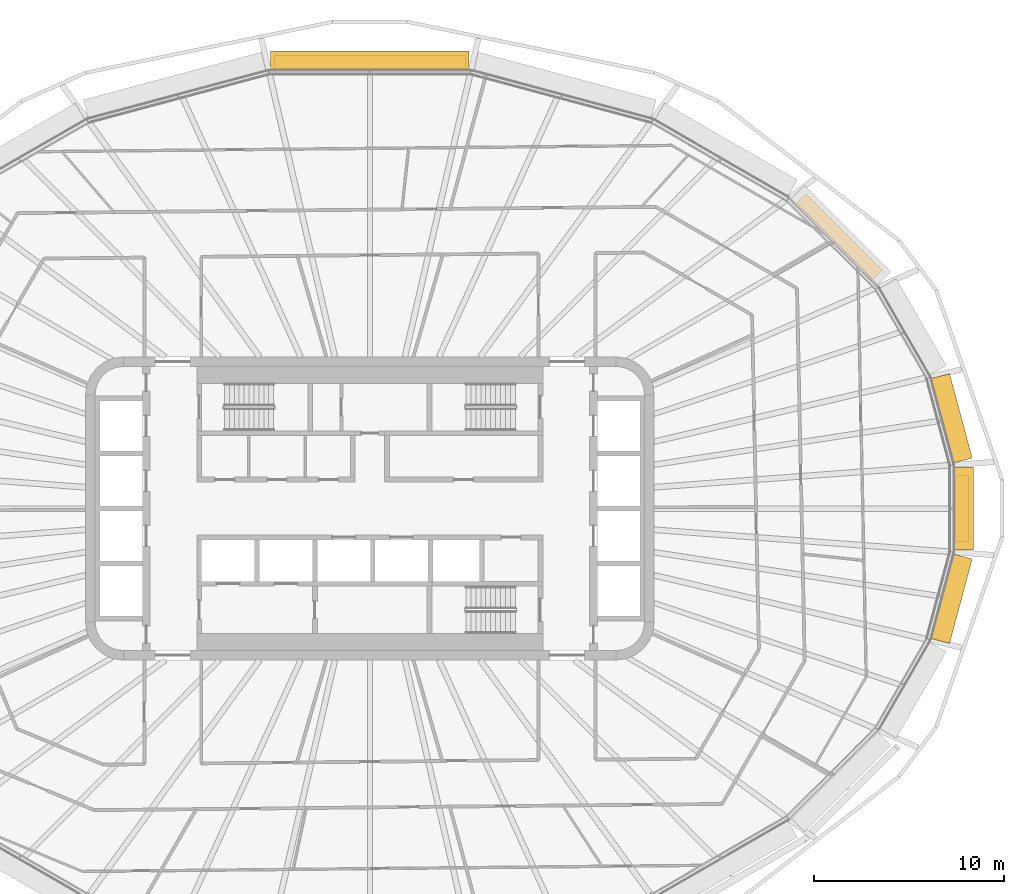
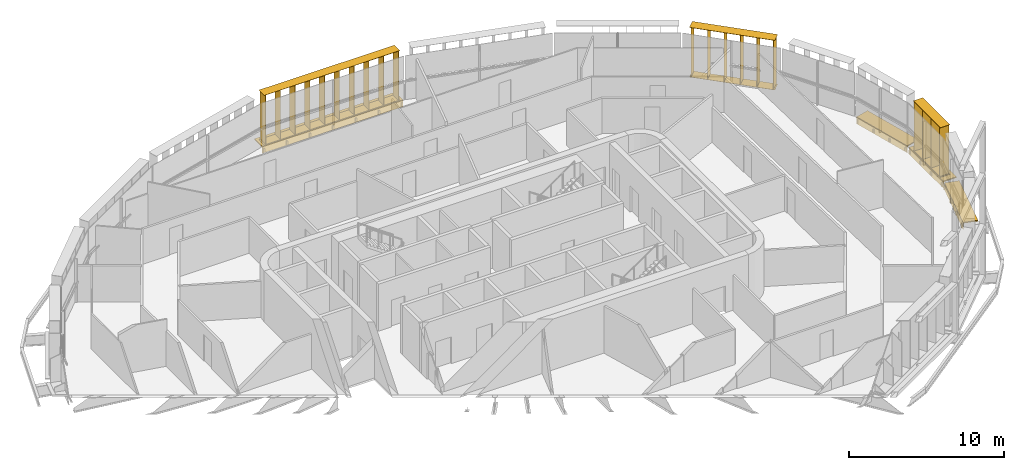
# One storey, part 23 of 23: 7 shading devices.
"""IFC4 building model written with IfcOpenShell, lengths in metres."""

from ifc_helpers import new_model, si_unit, direction, frame, origin, origin_2d, place, context, subcontext, project, spatial, rectangle, extrude, material, type_object, element, save


model = new_model("IFC4")

# Units and contexts
model_context = context("Model", 3, precision=1e-05, world=origin(), true_north=direction((0.0, 1.0)))
body_context = subcontext(model_context, "Body", "Model", "MODEL_VIEW")
ifc_project = project(units=[si_unit("LENGTHUNIT", "METRE"), si_unit("AREAUNIT", "SQUARE_METRE"), si_unit("VOLUMEUNIT", "CUBIC_METRE"), si_unit("PLANEANGLEUNIT", "RADIAN"), si_unit("MASSUNIT", "GRAM", prefix="KILO")], contexts=[model_context])

# Site, building, storey
site_placement = place(None, origin())
site = spatial("IfcSite", under=ifc_project, at=site_placement, CompositionType="ELEMENT")
building_placement = place(site_placement, origin())
building = spatial("IfcBuilding", under=site, at=building_placement, Name="Sahrelin Media Tower", CompositionType="ELEMENT")
storey_placement = place(building_placement, frame((0.0, 0.0, 185.60009765625)))
storey = spatial("IfcBuildingStorey", under=building, at=storey_placement, Name="L39", CompositionType="ELEMENT", Elevation=185.60009765625)

# Shading devices
ifc_material = material(Name="Champagne anodised aluminium 6063-T6", Category="aluminium")
shading_device_type_1 = type_object("IfcShadingDeviceType", Name="Fin cassette", PredefinedType="USERDEFINED", material=ifc_material)
placement_1 = place(storey_placement, frame((30.827392578125, 0.0, 0.0), z_axis=(0.0, 0.0, 1.0), x_axis=(0.0, -1.0, 0.0)))
element("IfcShadingDevice", 1, at=placement_1, inside=storey, type_object=shading_device_type_1, Name="L39:FIN:L39-00", ObjectType="FIN", PredefinedType="USERDEFINED", context=body_context, shape_type="SweptSolid", body=[
    extrude(rectangle(XDim=3.5, YDim=0.699951171875, at=origin_2d()), frame((0.0, 0.419921875, 0.0)), (0.0, 0.0, 1.0), 0.02001953125),
    extrude(rectangle(XDim=3.5, YDim=0.699951171875, at=origin_2d()), frame((0.0, 0.419921875, 3.89990234375)), (0.0, 0.0, 1.0), 0.02001953125),
    extrude(rectangle(XDim=0.02001953125, YDim=0.699951171875, at=origin_2d()), frame((-1.64990234375, 0.419921875, 0.010009765625), z_axis=(0.0, 0.0, 1.0), x_axis=(1.0, 0.0, 0.0)), (0.0, 0.0, 1.0), 3.89990234375),
    extrude(rectangle(XDim=0.02001953125, YDim=0.699951171875, at=origin_2d()), frame((-0.550048828125, 0.419921875, 0.010009765625), z_axis=(0.0, 0.0, 1.0), x_axis=(1.0, 0.0, 0.0)), (0.0, 0.0, 1.0), 3.89990234375),
    extrude(rectangle(XDim=0.02001953125, YDim=0.699951171875, at=origin_2d()), frame((0.550048828125, 0.419921875, 0.010009765625), z_axis=(0.0, 0.0, 1.0), x_axis=(1.0, 0.0, 0.0)), (0.0, 0.0, 1.0), 3.89990234375),
    extrude(rectangle(XDim=0.02001953125, YDim=0.699951171875, at=origin_2d()), frame((1.64990234375, 0.419921875, 0.010009765625), z_axis=(0.0, 0.0, 1.0), x_axis=(1.0, 0.0, 0.0)), (0.0, 0.0, 1.0), 3.89990234375),
])
shading_device_2_placement = place(storey_placement, frame((24.48779296875, 14.05126953125, 0.0), z_axis=(0.0, 0.0, 1.0), x_axis=(0.707106781187, -0.707106781187, 0.0)))
element("IfcShadingDevice", 2, at=shading_device_2_placement, inside=storey, type_object=shading_device_type_1, Name="L39:FIN:L39-03", ObjectType="FIN", PredefinedType="USERDEFINED", context=body_context, shape_type="SweptSolid", body=[
    extrude(rectangle(XDim=5.699951171875, YDim=0.699951171875, at=origin_2d()), frame((0.0, 0.419921875, 0.0)), (0.0, 0.0, 1.0), 0.02001953125),
    extrude(rectangle(XDim=5.699951171875, YDim=0.699951171875, at=origin_2d()), frame((0.0, 0.419921875, 3.89990234375)), (0.0, 0.0, 1.0), 0.02001953125),
    extrude(rectangle(XDim=0.02001953125, YDim=0.699951171875, at=origin_2d()), frame((-2.75, 0.419921875, 0.010009765625), z_axis=(0.0, 0.0, 1.0), x_axis=(1.0, 0.0, 0.0)), (0.0, 0.0, 1.0), 3.89990234375),
    extrude(rectangle(XDim=0.02001953125, YDim=0.699951171875, at=origin_2d()), frame((-1.64990234375, 0.419921875, 0.010009765625), z_axis=(0.0, 0.0, 1.0), x_axis=(1.0, 0.0, 0.0)), (0.0, 0.0, 1.0), 3.89990234375),
    extrude(rectangle(XDim=0.02001953125, YDim=0.699951171875, at=origin_2d()), frame((-0.550048828125, 0.419921875, 0.010009765625), z_axis=(0.0, 0.0, 1.0), x_axis=(1.0, 0.0, 0.0)), (0.0, 0.0, 1.0), 3.89990234375),
    extrude(rectangle(XDim=0.02001953125, YDim=0.699951171875, at=origin_2d()), frame((0.550048828125, 0.419921875, 0.010009765625), z_axis=(0.0, 0.0, 1.0), x_axis=(1.0, 0.0, 0.0)), (0.0, 0.0, 1.0), 3.89990234375),
    extrude(rectangle(XDim=0.02001953125, YDim=0.699951171875, at=origin_2d()), frame((1.64990234375, 0.419921875, 0.010009765625), z_axis=(0.0, 0.0, 1.0), x_axis=(1.0, 0.0, 0.0)), (0.0, 0.0, 1.0), 3.89990234375),
    extrude(rectangle(XDim=0.02001953125, YDim=0.699951171875, at=origin_2d()), frame((2.75, 0.419921875, 0.010009765625), z_axis=(0.0, 0.0, 1.0), x_axis=(1.0, 0.0, 0.0)), (0.0, 0.0, 1.0), 3.89990234375),
])
placement_2 = place(storey_placement, frame((0.0, 23.12890625, 0.0), z_axis=(0.0, 0.0, 1.0), x_axis=(1.0, 0.0, 0.0)))
element("IfcShadingDevice", 3, at=placement_2, inside=storey, type_object=shading_device_type_1, Name="L39:FIN:L39-06", ObjectType="FIN", PredefinedType="USERDEFINED", context=body_context, shape_type="SweptSolid", body=[
    extrude(rectangle(XDim=10.10009765625, YDim=0.699951171875, at=origin_2d()), frame((0.0, 0.419921875, 0.0)), (0.0, 0.0, 1.0), 0.02001953125),
    extrude(rectangle(XDim=10.10009765625, YDim=0.699951171875, at=origin_2d()), frame((0.0, 0.419921875, 3.89990234375)), (0.0, 0.0, 1.0), 0.02001953125),
    extrude(rectangle(XDim=0.02001953125, YDim=0.699951171875, at=origin_2d()), frame((-4.949951171875, 0.419921875, 0.010009765625), z_axis=(0.0, 0.0, 1.0), x_axis=(1.0, 0.0, 0.0)), (0.0, 0.0, 1.0), 3.89990234375),
    extrude(rectangle(XDim=0.02001953125, YDim=0.699951171875, at=origin_2d()), frame((-3.85009765625, 0.419921875, 0.010009765625), z_axis=(0.0, 0.0, 1.0), x_axis=(1.0, 0.0, 0.0)), (0.0, 0.0, 1.0), 3.89990234375),
    extrude(rectangle(XDim=0.02001953125, YDim=0.699951171875, at=origin_2d()), frame((-2.75, 0.419921875, 0.010009765625), z_axis=(0.0, 0.0, 1.0), x_axis=(1.0, 0.0, 0.0)), (0.0, 0.0, 1.0), 3.89990234375),
    extrude(rectangle(XDim=0.02001953125, YDim=0.699951171875, at=origin_2d()), frame((-1.64990234375, 0.419921875, 0.010009765625), z_axis=(0.0, 0.0, 1.0), x_axis=(1.0, 0.0, 0.0)), (0.0, 0.0, 1.0), 3.89990234375),
    extrude(rectangle(XDim=0.02001953125, YDim=0.699951171875, at=origin_2d()), frame((-0.550048828125, 0.419921875, 0.010009765625), z_axis=(0.0, 0.0, 1.0), x_axis=(1.0, 0.0, 0.0)), (0.0, 0.0, 1.0), 3.89990234375),
    extrude(rectangle(XDim=0.02001953125, YDim=0.699951171875, at=origin_2d()), frame((0.550048828125, 0.419921875, 0.010009765625), z_axis=(0.0, 0.0, 1.0), x_axis=(1.0, 0.0, 0.0)), (0.0, 0.0, 1.0), 3.89990234375),
    extrude(rectangle(XDim=0.02001953125, YDim=0.699951171875, at=origin_2d()), frame((1.64990234375, 0.419921875, 0.010009765625), z_axis=(0.0, 0.0, 1.0), x_axis=(1.0, 0.0, 0.0)), (0.0, 0.0, 1.0), 3.89990234375),
    extrude(rectangle(XDim=0.02001953125, YDim=0.699951171875, at=origin_2d()), frame((2.75, 0.419921875, 0.010009765625), z_axis=(0.0, 0.0, 1.0), x_axis=(1.0, 0.0, 0.0)), (0.0, 0.0, 1.0), 3.89990234375),
    extrude(rectangle(XDim=0.02001953125, YDim=0.699951171875, at=origin_2d()), frame((3.85009765625, 0.419921875, 0.010009765625), z_axis=(0.0, 0.0, 1.0), x_axis=(1.0, 0.0, 0.0)), (0.0, 0.0, 1.0), 3.89990234375),
    extrude(rectangle(XDim=0.02001953125, YDim=0.699951171875, at=origin_2d()), frame((4.949951171875, 0.419921875, 0.010009765625), z_axis=(0.0, 0.0, 1.0), x_axis=(1.0, 0.0, 0.0)), (0.0, 0.0, 1.0), 3.89990234375),
])
shading_device_type_2 = type_object("IfcShadingDeviceType", Name="Sunshade band", PredefinedType="USERDEFINED", material=ifc_material)
element("IfcShadingDevice", 4, at=placement_1, inside=storey, type_object=shading_device_type_2, Name="L39:SUN:L39-00", ObjectType="SUNSHADE", PredefinedType="USERDEFINED", context=body_context, shape_type="SweptSolid", body=[
    extrude(rectangle(XDim=4.403564453125, YDim=0.050048828125, at=origin_2d()), frame((0.0, 0.044921875, -0.55126953125)), (0.0, 0.0, 1.0), 0.471435546875),
    extrude(rectangle(XDim=4.403564453125, YDim=1.0, at=origin_2d()), frame((0.0, 0.52001953125, -0.080078125)), (0.0, 0.0, 1.0), 0.080078125),
    extrude(rectangle(XDim=0.10009765625, YDim=0.074951171875, at=origin_2d()), frame((-2.101806640625, -0.017578125, -0.47021484375)), (0.0, 0.0, 1.0), 0.300048828125),
    extrude(rectangle(XDim=0.10009765625, YDim=0.074951171875, at=origin_2d()), frame((-0.70068359375, -0.017578125, -0.47021484375)), (0.0, 0.0, 1.0), 0.300048828125),
    extrude(rectangle(XDim=0.10009765625, YDim=0.074951171875, at=origin_2d()), frame((0.70068359375, -0.017578125, -0.47021484375)), (0.0, 0.0, 1.0), 0.300048828125),
    extrude(rectangle(XDim=0.10009765625, YDim=0.074951171875, at=origin_2d()), frame((2.101806640625, -0.017578125, -0.47021484375)), (0.0, 0.0, 1.0), 0.300048828125),
])
shading_device_5_placement = place(storey_placement, frame((30.2041015625, 4.627197265625, 0.0), z_axis=(0.0, 0.0, 1.0), x_axis=(0.258807731996, -0.965928857556, 0.0)))
element("IfcShadingDevice", 5, at=shading_device_5_placement, inside=storey, type_object=shading_device_type_2, Name="L39:SUN:L39-01", ObjectType="SUNSHADE", PredefinedType="USERDEFINED", context=body_context, shape_type="SweptSolid", body=[
    extrude(rectangle(XDim=4.61474609375, YDim=0.050048828125, at=origin_2d()), frame((0.0, 0.044921875, -0.55126953125)), (0.0, 0.0, 1.0), 0.471435546875),
    extrude(rectangle(XDim=4.61474609375, YDim=1.0, at=origin_2d()), frame((0.0, 0.52001953125, -0.080078125)), (0.0, 0.0, 1.0), 0.080078125),
    extrude(rectangle(XDim=0.10009765625, YDim=0.074951171875, at=origin_2d()), frame((-2.20751953125, -0.017578125, -0.47021484375)), (0.0, 0.0, 1.0), 0.300048828125),
    extrude(rectangle(XDim=0.10009765625, YDim=0.074951171875, at=origin_2d()), frame((-0.73583984375, -0.017578125, -0.47021484375)), (0.0, 0.0, 1.0), 0.300048828125),
    extrude(rectangle(XDim=0.10009765625, YDim=0.074951171875, at=origin_2d()), frame((0.73583984375, -0.017578125, -0.47021484375)), (0.0, 0.0, 1.0), 0.300048828125),
    extrude(rectangle(XDim=0.10009765625, YDim=0.074951171875, at=origin_2d()), frame((2.20751953125, -0.017578125, -0.47021484375)), (0.0, 0.0, 1.0), 0.300048828125),
])
element("IfcShadingDevice", 6, at=placement_2, inside=storey, type_object=shading_device_type_2, Name="L39:SUN:L39-06", ObjectType="SUNSHADE", PredefinedType="USERDEFINED", context=body_context, shape_type="SweptSolid", body=[
    extrude(rectangle(XDim=10.479248046875, YDim=0.050048828125, at=origin_2d()), frame((0.0, 0.044921875, -0.55126953125)), (0.0, 0.0, 1.0), 0.471435546875),
    extrude(rectangle(XDim=10.479248046875, YDim=1.0, at=origin_2d()), frame((0.0, 0.52001953125, -0.080078125)), (0.0, 0.0, 1.0), 0.080078125),
    extrude(rectangle(XDim=0.10009765625, YDim=0.074951171875, at=origin_2d()), frame((-5.1396484375, -0.017578125, -0.47021484375)), (0.0, 0.0, 1.0), 0.300048828125),
    extrude(rectangle(XDim=0.10009765625, YDim=0.074951171875, at=origin_2d()), frame((-3.426513671875, -0.017578125, -0.47021484375)), (0.0, 0.0, 1.0), 0.300048828125),
    extrude(rectangle(XDim=0.10009765625, YDim=0.074951171875, at=origin_2d()), frame((-1.713134765625, -0.017578125, -0.47021484375)), (0.0, 0.0, 1.0), 0.300048828125),
    extrude(rectangle(XDim=0.10009765625, YDim=0.074951171875, at=origin_2d()), frame((0.0, -0.017578125, -0.47021484375)), (0.0, 0.0, 1.0), 0.300048828125),
    extrude(rectangle(XDim=0.10009765625, YDim=0.074951171875, at=origin_2d()), frame((1.713134765625, -0.017578125, -0.47021484375)), (0.0, 0.0, 1.0), 0.300048828125),
    extrude(rectangle(XDim=0.10009765625, YDim=0.074951171875, at=origin_2d()), frame((3.426513671875, -0.017578125, -0.47021484375)), (0.0, 0.0, 1.0), 0.300048828125),
    extrude(rectangle(XDim=0.10009765625, YDim=0.074951171875, at=origin_2d()), frame((5.1396484375, -0.017578125, -0.47021484375)), (0.0, 0.0, 1.0), 0.300048828125),
])
shading_device_7_placement = place(storey_placement, frame((30.2041015625, -4.627197265625, 0.0), z_axis=(0.0, 0.0, 1.0), x_axis=(-0.258807731996, -0.965928857556, 0.0)))
element("IfcShadingDevice", 7, at=shading_device_7_placement, inside=storey, type_object=shading_device_type_2, Name="L39:SUN:L39-23", ObjectType="SUNSHADE", PredefinedType="USERDEFINED", context=body_context, shape_type="SweptSolid", body=[
    extrude(rectangle(XDim=4.61474609375, YDim=0.050048828125, at=origin_2d()), frame((0.0, 0.044921875, -0.55126953125)), (0.0, 0.0, 1.0), 0.471435546875),
    extrude(rectangle(XDim=4.61474609375, YDim=1.0, at=origin_2d()), frame((0.0, 0.52001953125, -0.080078125)), (0.0, 0.0, 1.0), 0.080078125),
    extrude(rectangle(XDim=0.10009765625, YDim=0.074951171875, at=origin_2d()), frame((-2.20751953125, -0.017578125, -0.47021484375)), (0.0, 0.0, 1.0), 0.300048828125),
    extrude(rectangle(XDim=0.10009765625, YDim=0.074951171875, at=origin_2d()), frame((-0.73583984375, -0.017578125, -0.47021484375)), (0.0, 0.0, 1.0), 0.300048828125),
    extrude(rectangle(XDim=0.10009765625, YDim=0.074951171875, at=origin_2d()), frame((0.73583984375, -0.017578125, -0.47021484375)), (0.0, 0.0, 1.0), 0.300048828125),
    extrude(rectangle(XDim=0.10009765625, YDim=0.074951171875, at=origin_2d()), frame((2.20751953125, -0.017578125, -0.47021484375)), (0.0, 0.0, 1.0), 0.300048828125),
])

save(model, "model.ifc")
